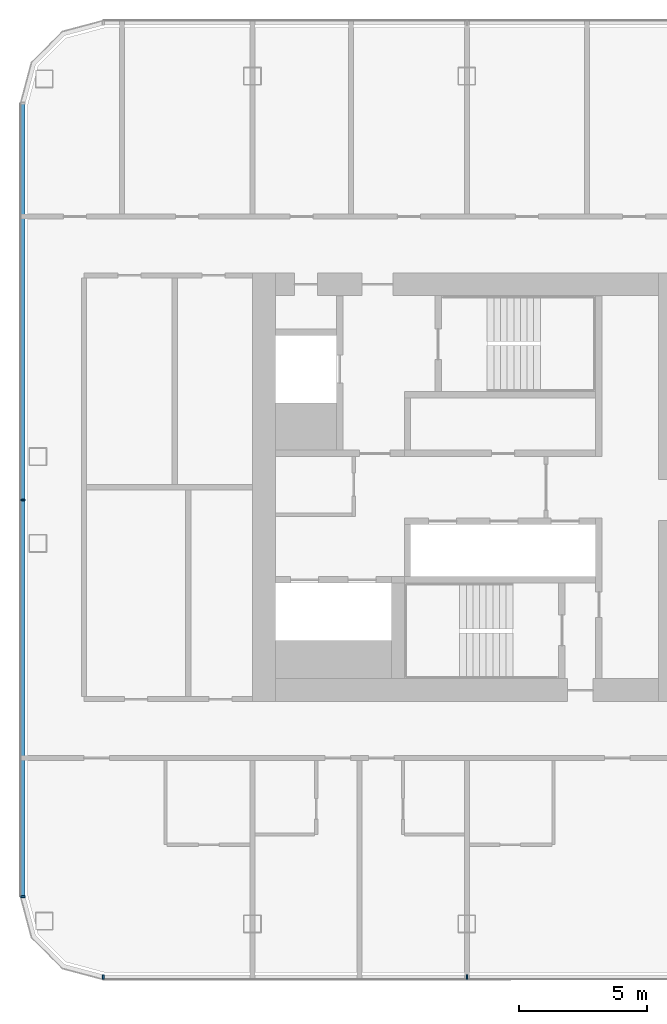
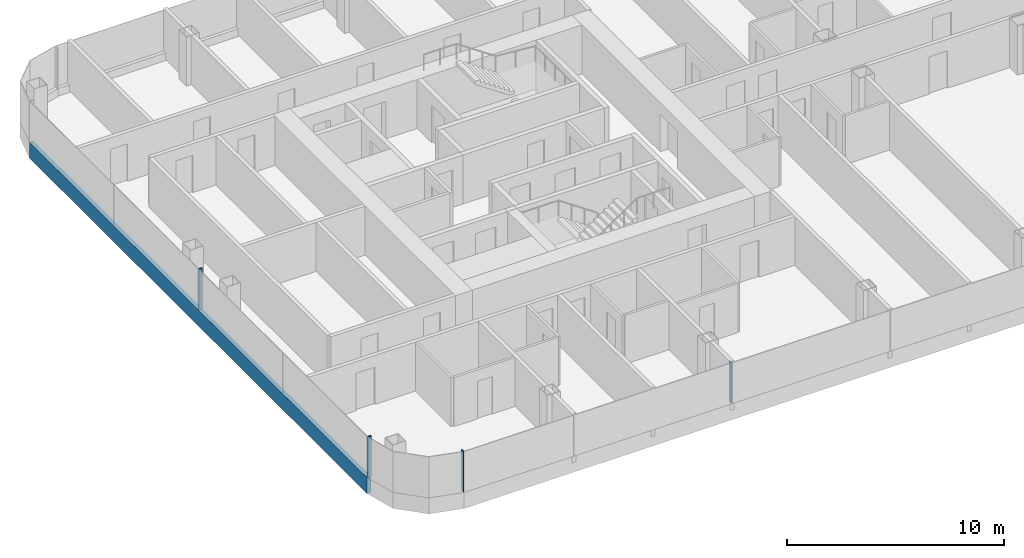
# One storey, part 2 of 26: 5 members, 2 elements without a shape of their own.
"""IFC4 building model written with IfcOpenShell, lengths in metres."""

from ifc_helpers import new_model, si_unit, direction, frame, origin, origin_2d, place, context, subcontext, project, spatial, rectangle, extrude, material, layer, layer_set, material_profile, profile_set, type_object, element, aggregate, save


model = new_model("IFC4")

# Units and contexts
model_context = context("Model", 3, precision=1e-05, world=origin(), true_north=direction((0.0, 1.0)))
body_context = subcontext(model_context, "Body", "Model", "MODEL_VIEW")
ifc_project = project(units=[si_unit("LENGTHUNIT", "METRE"), si_unit("AREAUNIT", "SQUARE_METRE"), si_unit("VOLUMEUNIT", "CUBIC_METRE"), si_unit("PLANEANGLEUNIT", "RADIAN"), si_unit("MASSUNIT", "GRAM", prefix="KILO")], contexts=[model_context])

# Site, building, storey
site_placement = place(None, origin())
site = spatial("IfcSite", under=ifc_project, at=site_placement, CompositionType="ELEMENT")
building_placement = place(site_placement, origin())
building = spatial("IfcBuilding", under=site, at=building_placement, Name="Hakoniwa Tower and Hamabe Station Hall", CompositionType="ELEMENT")
storey_placement = place(building_placement, frame((0.0, 0.0, 140.60009765625)))
storey = spatial("IfcBuildingStorey", under=building, at=storey_placement, Name="L39", CompositionType="ELEMENT", Elevation=140.60009765625)

# Curtain wall, members
ifc_material_1 = material(Name="Dark low-e laminated glass", Category="glass")
ifc_layer = layer(ifc_material_1, 0.199951171875)
ifc_layer_set = layer_set([ifc_layer], Name="CW-1 UNITISED GUEST")
curtain_wall_type = type_object("IfcCurtainWallType", Name="CW-1 UNITISED GUEST", PredefinedType="NOTDEFINED", material=ifc_layer_set)
curtain_wall_1_placement = place(storey_placement, origin())
curtain_wall_1 = element("IfcCurtainWall", 1, at=curtain_wall_1_placement, inside=storey, type_object=curtain_wall_type, Name="CW-1 curtain wall", PredefinedType="NOTDEFINED")
ifc_material_2 = material(Name="Aluminium 6063-T5 black anodised", Category="aluminium")
ifc_material_profile_1 = material_profile(ifc_material_2, rectangle(XDim=0.199951171875, YDim=0.89990234375, at=origin_2d()), Name="CW SLAB-EDGE BAND 900X200")
ifc_profile_set_1 = profile_set([ifc_material_profile_1], Name="Aluminium 6063-T5 black anodised")
member_type_1 = type_object("IfcMemberType", Name="CW SLAB-EDGE BAND 900X200", PredefinedType="USERDEFINED", material=ifc_profile_set_1)
member_1_placement = place(storey_placement, frame((-42.60009765625, 15.03955078125, -0.10009765625), z_axis=(0.0, -1.0, 0.0), x_axis=(1.0, 0.0, 0.0)))
member_1 = element("IfcMember", 2, at=member_1_placement, type_object=member_type_1, Name="CW-1 transom", ObjectType="TRANSOM", PredefinedType="USERDEFINED", context=body_context, shape_type="SweptSolid", body=[
    extrude(rectangle(XDim=0.199951171875, YDim=0.89990234375, at=origin_2d()), origin(), (0.0, 0.0, 1.0), 31.0791015625),
])
ifc_material_3 = material(Name="Aluminium 6063-T5 black anodised", Category="aluminium")
ifc_material_profile_2 = material_profile(ifc_material_3, rectangle(XDim=0.06005859375, YDim=0.179931640625, at=origin_2d()), Name="CW-1 MULLION 60X180")
ifc_profile_set_2 = profile_set([ifc_material_profile_2], Name="Aluminium 6063-T5 black anodised")
member_type_2 = type_object("IfcMemberType", Name="CW-1 MULLION 60X180", PredefinedType="MULLION", material=ifc_profile_set_2)
member_2_placement = place(storey_placement, frame((-42.58203125, -0.5, 0.349853515625), z_axis=(0.0, 0.0, 1.0), x_axis=(0.0, -1.0, 0.0)))
member_2 = element("IfcMember", 3, at=member_2_placement, type_object=member_type_2, Name="CW-1 mullion", PredefinedType="MULLION", context=body_context, shape_type="SweptSolid", body=[
    extrude(rectangle(XDim=0.06005859375, YDim=0.179931640625, at=origin_2d()), origin(), (0.0, 0.0, 1.0), 2.300048828125),
])
member_3_placement = place(storey_placement, frame((-42.58203125, -16.03955078125, 0.349853515625), z_axis=(0.0, 0.0, 1.0), x_axis=(0.0, -1.0, 0.0)))
member_3 = element("IfcMember", 4, at=member_3_placement, type_object=member_type_2, Name="CW-1 mullion", PredefinedType="MULLION", context=body_context, shape_type="SweptSolid", body=[
    extrude(rectangle(XDim=0.06005859375, YDim=0.179931640625, at=origin_2d()), origin(), (0.0, 0.0, 1.0), 2.300048828125),
])
aggregate(curtain_wall_1, [member_2, member_3, member_1])

curtain_wall_2_placement = place(storey_placement, origin())
curtain_wall_2 = element("IfcCurtainWall", 5, at=curtain_wall_2_placement, inside=storey, type_object=curtain_wall_type, Name="CW-1 curtain wall", PredefinedType="NOTDEFINED")
member_4_placement = place(storey_placement, frame((-39.439453125, -19.181884765625, 0.349853515625), z_axis=(0.0, 0.0, 1.0), x_axis=(1.0, 0.0, 0.0)))
member_4 = element("IfcMember", 6, at=member_4_placement, type_object=member_type_2, Name="CW-1 mullion", PredefinedType="MULLION", context=body_context, shape_type="SweptSolid", body=[
    extrude(rectangle(XDim=0.06005859375, YDim=0.179931640625, at=origin_2d()), origin(), (0.0, 0.0, 1.0), 2.300048828125),
])
member_5_placement = place(storey_placement, frame((-25.199951171875, -19.181884765625, 0.349853515625), z_axis=(0.0, 0.0, 1.0), x_axis=(1.0, 0.0, 0.0)))
member_5 = element("IfcMember", 7, at=member_5_placement, type_object=member_type_2, Name="CW-1 mullion", PredefinedType="MULLION", context=body_context, shape_type="SweptSolid", body=[
    extrude(rectangle(XDim=0.06005859375, YDim=0.179931640625, at=origin_2d()), origin(), (0.0, 0.0, 1.0), 2.300048828125),
])
aggregate(curtain_wall_2, [member_4, member_5])

save(model, "model.ifc")
